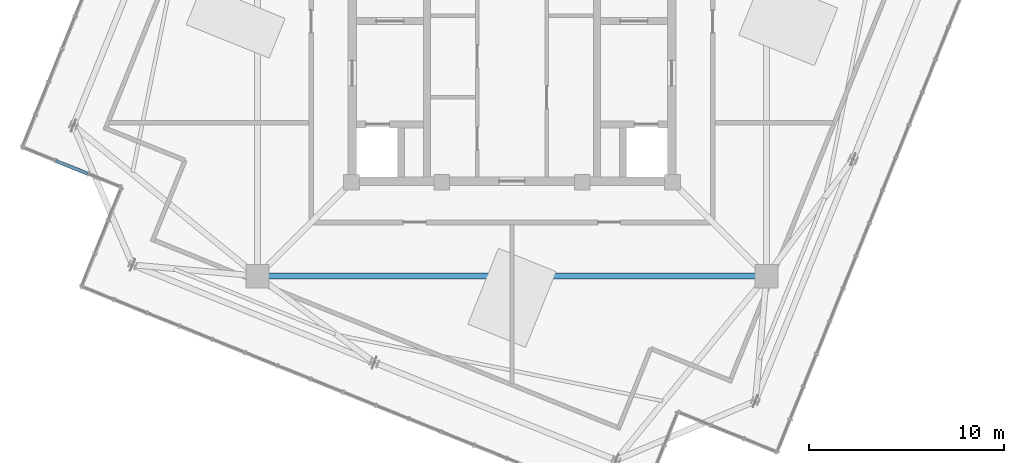
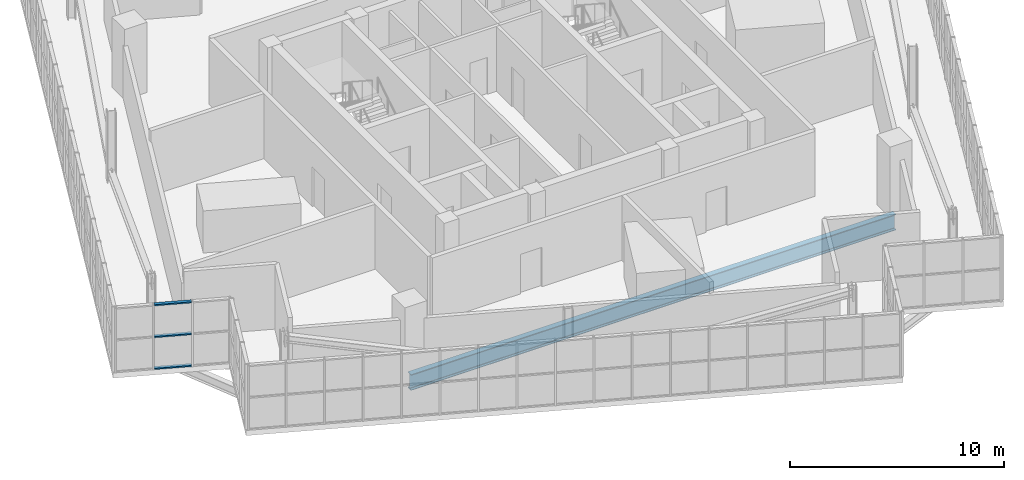
# One storey, part 5 of 26: 3 members, 1 beam, 1 element without a shape of its own.
"""IFC4 building model written with IfcOpenShell, lengths in metres."""

from ifc_helpers import new_model, si_unit, direction, frame, origin, origin_2d, place, context, subcontext, project, spatial, hollow_rectangle, i_section, extrude, source, transform, mapped, material, layer, layer_set, material_profile, profile_set, type_object, element, aggregate, save


model = new_model("IFC4")

# Units and contexts
model_context = context("Model", 3, precision=1e-05, world=origin(), true_north=direction((0.0, 1.0)))
body_context = subcontext(model_context, "Body", "Model", "MODEL_VIEW")
ifc_project = project(units=[si_unit("LENGTHUNIT", "METRE"), si_unit("AREAUNIT", "SQUARE_METRE"), si_unit("VOLUMEUNIT", "CUBIC_METRE"), si_unit("PLANEANGLEUNIT", "RADIAN"), si_unit("MASSUNIT", "GRAM", prefix="KILO"), si_unit("THERMODYNAMICTEMPERATUREUNIT", "KELVIN")], contexts=[model_context])

# Site, building, storey
site_placement = place(None, origin())
site = spatial("IfcSite", under=ifc_project, at=site_placement, CompositionType="ELEMENT")
building_placement = place(site_placement, origin())
building = spatial("IfcBuilding", under=site, at=building_placement, Name="Kosmvard Interchange Tower", CompositionType="ELEMENT")
storey_placement = place(building_placement, frame((0.0, 0.0, 325.60009765625)))
storey = spatial("IfcBuildingStorey", under=building, at=storey_placement, Name="L80", CompositionType="ELEMENT", Elevation=325.60009765625)

# Beam
ifc_material_1 = material(Name="Steel S355", Category="steel")
ifc_material_profile_1 = material_profile(ifc_material_1, i_section(OverallWidth=0.300048828125, OverallDepth=0.89990234375, WebThickness=0.0185546875, FlangeThickness=0.034912109375, FilletRadius=0.030029296875, at=origin_2d()), Name="HEB 900")
ifc_profile_set_1 = profile_set([ifc_material_profile_1], Name="Steel S355")
beam_type = type_object("IfcBeamType", Name="Mega-Column Ring Girder HEB 900 S355", PredefinedType="BEAM", material=ifc_profile_set_1)
shared_shape_1 = source(origin(), body_context, "Body", "SweptSolid", [
    extrude(i_section(OverallWidth=0.300048828125, OverallDepth=0.89990234375, WebThickness=0.0185546875, FlangeThickness=0.034912109375, FilletRadius=0.030029296875, at=origin_2d()), origin(), (0.0, 0.0, 1.0), 26.162109375),
])
beam_placement = place(storey_placement, frame((-13.0810546875, -13.0810546875, -0.75), z_axis=(1.0, 0.0, 0.0), x_axis=(0.0, 1.0, 0.0)))
element("IfcBeam", 1, at=beam_placement, inside=storey, type_object=beam_type, Name="L80 Mega-Column Ring Girder 1", PredefinedType="BEAM", context=body_context, shape_type="MappedRepresentation", body=[
    mapped(shared_shape_1, transform((0.0, 0.0, 0.0), scale=1.0)),
])

# Curtain wall, members
ifc_material_2 = material(Name="Architectural anodised aluminium", Category="aluminium")
ifc_layer = layer(ifc_material_2, 0.25, Name="Architectural anodised aluminium")
ifc_layer_set = layer_set([ifc_layer], Name="Architectural anodised aluminium")
curtain_wall_type = type_object("IfcCurtainWallType", Name="CW-6 Illuminated Crown Lantern Curtain Wall", PredefinedType="NOTDEFINED", material=ifc_layer_set)
curtain_wall_placement = place(storey_placement, origin())
curtain_wall = element("IfcCurtainWall", 2, at=curtain_wall_placement, inside=storey, type_object=curtain_wall_type, Name="L80 Crown Lantern Glazing Face 08", PredefinedType="NOTDEFINED")
ifc_material_profile_2 = material_profile(ifc_material_2, hollow_rectangle(XDim=0.179931640625, YDim=0.070068359375, WallThickness=0.0048828125, at=origin_2d()), Name="CWT 180x70x5")
ifc_profile_set_2 = profile_set([ifc_material_profile_2], Name="Architectural anodised aluminium")
member_type = type_object("IfcMemberType", Name="Heavy Lantern CW Transom 180x70 Aluminium", PredefinedType="USERDEFINED", material=ifc_profile_set_2)
shared_shape_2 = source(origin(), body_context, "Body", "SweptSolid", [
    extrude(hollow_rectangle(XDim=0.179931640625, YDim=0.070068359375, WallThickness=0.0048828125, at=origin_2d()), origin(), (0.0, 0.0, 1.0), 1.75341796875),
])
member_1_placement = place(storey_placement, frame((-23.436279296875, -7.162109375, 0.034912109375), z_axis=(0.927155350429, -0.374677135907, 0.0), x_axis=(0.374677135907, 0.927155350429, 0.0)))
member_1 = element("IfcMember", 3, at=member_1_placement, type_object=member_type, Name="CW-6 transom 2.1", ObjectType="TRANSOM", PredefinedType="USERDEFINED", context=body_context, shape_type="MappedRepresentation", body=[
    mapped(shared_shape_2, transform((0.0, 0.0, 0.0), scale=1.0)),
])
member_2_placement = place(storey_placement, frame((-23.436279296875, -7.162109375, 1.849853515625), z_axis=(0.927155350429, -0.374677135907, 0.0), x_axis=(0.374677135907, 0.927155350429, 0.0)))
member_2 = element("IfcMember", 4, at=member_2_placement, type_object=member_type, Name="CW-6 transom 2.2", ObjectType="TRANSOM", PredefinedType="USERDEFINED", context=body_context, shape_type="MappedRepresentation", body=[
    mapped(shared_shape_2, transform((0.0, 0.0, 0.0), scale=1.0)),
])
member_3_placement = place(storey_placement, frame((-23.436279296875, -7.162109375, 3.664794921875), z_axis=(0.927155350429, -0.374677135907, 0.0), x_axis=(0.374677135907, 0.927155350429, 0.0)))
member_3 = element("IfcMember", 5, at=member_3_placement, type_object=member_type, Name="CW-6 transom 2.3", ObjectType="TRANSOM", PredefinedType="USERDEFINED", context=body_context, shape_type="MappedRepresentation", body=[
    mapped(shared_shape_2, transform((0.0, 0.0, 0.0), scale=1.0)),
])
aggregate(curtain_wall, [member_1, member_2, member_3])

save(model, "model.ifc")
